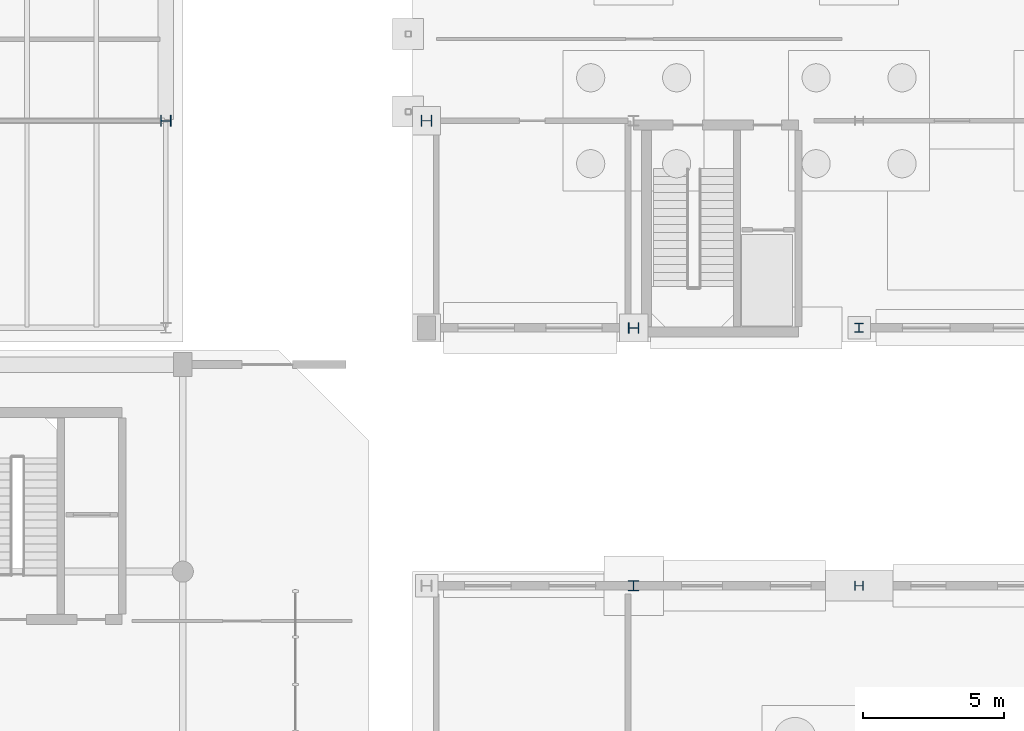
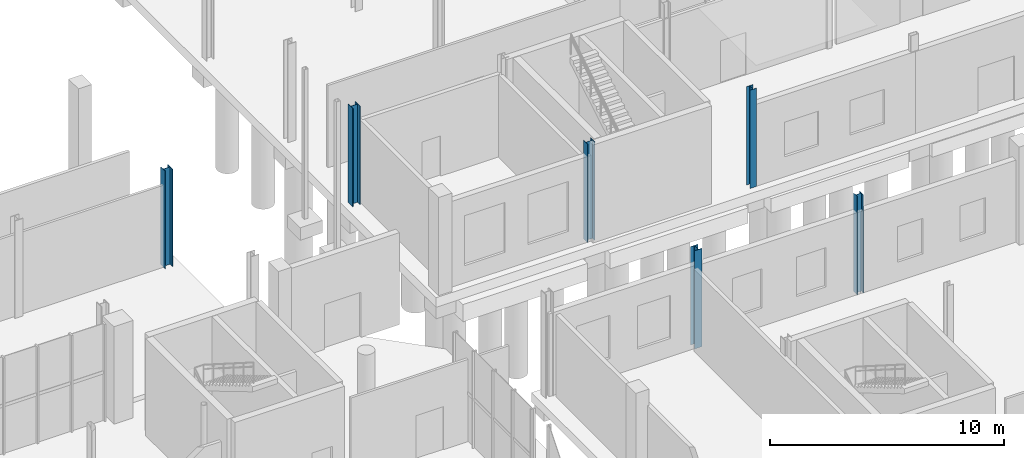
# One storey, part 24 of 87: 6 columns.
"""IFC4 building model written with IfcOpenShell, lengths in metres."""

import ifcopenshell
import ifcopenshell.guid

model = None  # the IFC model being written
_history = None  # IfcOwnerHistory: only IFC2X3 demands one
_inside = {}  # id of a spatial element -> (the spatial element, [elements in it])
_under = {}  # id of a project, library or spatial element -> (it, [spatial elements below it])
_declared = {}  # id of a project -> (the project, [libraries it declares])
_typed = {}  # id of a type object -> (the type object, [elements of that type])
_made_of = {}  # id of a material, layer set ... -> (it, [elements and type objects made of it])


def new_model(schema):
    """Start an empty IFC model of exactly this schema.

    Asked for "IFC4X3", IfcOpenShell would pick the latest addendum, in which some entities
    have other attributes; the version numbers below select the first issue.
    IFC2X3 requires an IfcOwnerHistory on every rooted entity: one is made here for all.
    """
    global model, _history
    if schema == "IFC4X3":
        model = ifcopenshell.file(schema_version=(4, 3, 0, 0))
    else:
        model = ifcopenshell.file(schema=schema)
    _inside.clear()
    _under.clear()
    _declared.clear()
    _typed.clear()
    _made_of.clear()
    _history = None
    if model.schema == "IFC2X3":
        org = make("IfcOrganization", Name="unknown")
        user = make(
            "IfcPersonAndOrganization",
            ThePerson=make("IfcPerson", FamilyName="unknown"),
            TheOrganization=org,
        )
        app = make(
            "IfcApplication",
            ApplicationDeveloper=org,
            Version="unknown",
            ApplicationFullName="unknown",
            ApplicationIdentifier="unknown",
        )
        _history = make(
            "IfcOwnerHistory",
            OwningUser=user,
            OwningApplication=app,
            ChangeAction="ADDED",
            CreationDate=0,
        )
    return model


def make(cls, **values):
    """One entity of the class cls with the attributes given. An attribute that is None is left unset."""
    return model.create_entity(
        cls, **{name: value for name, value in values.items() if value is not None}
    )


def rooted(cls, **values):
    """An entity with a GlobalId (a new one), such as an element, a storey or a relation."""
    return make(cls, GlobalId=ifcopenshell.guid.new(), OwnerHistory=_history, **values)


def si_unit(unit_type, name, prefix=None):
    """IfcSIUnit, for example si_unit("LENGTHUNIT", "METRE", prefix="MILLI")."""
    return make("IfcSIUnit", UnitType=unit_type, Prefix=prefix, Name=name)


def assignment(units):
    """IfcUnitAssignment: the units of a project."""
    return None if units is None else make("IfcUnitAssignment", Units=units)


def point(xyz):
    """IfcCartesianPoint."""
    return None if xyz is None else make("IfcCartesianPoint", Coordinates=xyz)


def direction(xyz):
    """IfcDirection."""
    return None if xyz is None else make("IfcDirection", DirectionRatios=xyz)


def frame(location, z_axis=None, x_axis=None):
    """IfcAxis2Placement3D, a coordinate frame: its origin and axes. An axis left out is left unset."""
    return make(
        "IfcAxis2Placement3D",
        Location=point(location),
        Axis=direction(z_axis),
        RefDirection=direction(x_axis),
    )


def frame_2d(location, x_axis=None):
    """IfcAxis2Placement2D, a coordinate frame in the plane: its origin and x axis."""
    return make(
        "IfcAxis2Placement2D", Location=point(location), RefDirection=direction(x_axis)
    )


def origin():
    """The frame at (0, 0, 0) with its axes left unset."""
    return frame((0.0, 0.0, 0.0))


def origin_2d():
    """The frame at (0, 0) in the plane with its x axis left unset."""
    return frame_2d((0.0, 0.0))


def place(relative_to, where):
    """IfcLocalPlacement: puts the frame where relative to a parent placement (None: the world)."""
    return make(
        "IfcLocalPlacement", PlacementRelTo=relative_to, RelativePlacement=where
    )


def context(
    kind, dimensions, precision=None, world=None, true_north=None, identifier=None
):
    """IfcGeometricRepresentationContext, for example the 3D "Model" context."""
    return make(
        "IfcGeometricRepresentationContext",
        ContextIdentifier=identifier,
        ContextType=kind,
        CoordinateSpaceDimension=dimensions,
        Precision=precision,
        WorldCoordinateSystem=world,
        TrueNorth=true_north,
    )


def subcontext(parent, identifier, kind, view, scale=None):
    """IfcGeometricRepresentationSubContext, for example "Body" below "Model"."""
    return make(
        "IfcGeometricRepresentationSubContext",
        ContextIdentifier=identifier,
        ContextType=kind,
        ParentContext=parent,
        TargetScale=scale,
        TargetView=view,
    )


def project(units=None, contexts=None):
    """IfcProject with its units and contexts."""
    return rooted(
        "IfcProject",
        Name="project",
        RepresentationContexts=contexts,
        UnitsInContext=assignment(units),
    )


def spatial(cls, under=None, at=None, **own):
    """A site, building, storey or space (cls), placed at a placement, below another one or the project."""
    s = rooted(cls, ObjectPlacement=at, **own)
    if under is not None:
        _under.setdefault(under.id(), (under, []))[1].append(s)
    return s


def profile(cls, at=None, kind="AREA", **sizes):
    """A parametric profile (cls). Its sizes go by their IFC names, for example OverallWidth=200.0."""
    return make(cls, ProfileType=kind, Position=at, **sizes)


def i_section(**sizes):
    """IfcIShapeProfileDef."""
    return profile("IfcIShapeProfileDef", **sizes)


def extrude(swept, where, along, depth):
    """IfcExtrudedAreaSolid: the profile swept, set in the frame where, extruded along a direction by depth."""
    return make(
        "IfcExtrudedAreaSolid",
        SweptArea=swept,
        Position=where,
        ExtrudedDirection=direction(along),
        Depth=depth,
    )


def shape(context_of_items, identifier, shape_type, items):
    """IfcShapeRepresentation: the items that make up one representation, for example the "Body"."""
    return make(
        "IfcShapeRepresentation",
        ContextOfItems=context_of_items,
        RepresentationIdentifier=identifier,
        RepresentationType=shape_type,
        Items=items,
    )


def material(Name=None, Category=None):
    """IfcMaterial."""
    return make("IfcMaterial", Name=Name, Category=Category)


def material_profile(
    of_material, cross_section, Name=None, Category=None, Priority=None
):
    """IfcMaterialProfile: a cross section and its material."""
    return make(
        "IfcMaterialProfile",
        Name=Name,
        Material=of_material,
        Profile=cross_section,
        Priority=Priority,
        Category=Category,
    )


def profile_set(profiles, Name=None, composite=None):
    """IfcMaterialProfileSet."""
    return make(
        "IfcMaterialProfileSet",
        Name=Name,
        MaterialProfiles=profiles,
        CompositeProfile=composite,
    )


def made_of(thing, what):
    """Note that an element or type object is made of a material, layer set ...; save() writes the relation."""
    if what is not None:
        _made_of.setdefault(what.id(), (what, []))[1].append(thing)
    return thing


def type_object(cls, material=None, **own):
    """A type object (cls), such as IfcWallType, which elements share."""
    return made_of(rooted(cls, **own), material)


def element(
    cls,
    number,
    at=None,
    inside=None,
    cuts=None,
    type_object=None,
    material=None,
    context=None,
    identifier="Body",
    shape_type=None,
    held_by="IfcProductDefinitionShape",
    body=None,
    shapes=None,
    **own,
):
    """One element of the class cls, such as IfcWall. Its Tag is "e" and its number.

    at: its placement. inside: the storey or other place that contains it. cuts: it is an
    opening in that element (IfcRelVoidsElement). A single representation is given by context,
    identifier, shape_type and body (its items); several are given by shapes. held_by: the class
    of the entity that holds the representations. save() writes the other relations.
    """
    e = rooted(cls, Tag="e%d" % number, ObjectPlacement=at, **own)
    if body is not None:
        shapes = [shape(context, identifier, shape_type, body)]
    if shapes is not None:
        e.Representation = make(held_by, Representations=shapes)
    if inside is not None:
        _inside.setdefault(inside.id(), (inside, []))[1].append(e)
    if cuts is not None:
        rooted(
            "IfcRelVoidsElement", RelatingBuildingElement=cuts, RelatedOpeningElement=e
        )
    if type_object is not None:
        _typed.setdefault(type_object.id(), (type_object, []))[1].append(e)
    return made_of(e, material)


def aggregate(whole, parts):
    """IfcRelAggregates: a whole, such as a stair, and the parts it consists of."""
    return rooted("IfcRelAggregates", RelatingObject=whole, RelatedObjects=parts)


def save(model, path):
    """Write the relations noted so far, then the file.

    IfcRelAggregates (storeys below a building ...), IfcRelContainedInSpatialStructure (elements
    in a storey), IfcRelDefinesByType, IfcRelAssociatesMaterial and IfcRelDeclares: one each for
    every whole, place, type object, material and project.
    """
    for whole, parts in _under.values():
        aggregate(whole, parts)
    for where, things in _inside.values():
        rooted(
            "IfcRelContainedInSpatialStructure",
            RelatedElements=things,
            RelatingStructure=where,
        )
    for kind, things in _typed.values():
        rooted("IfcRelDefinesByType", RelatedObjects=things, RelatingType=kind)
    for what, things in _made_of.values():
        rooted("IfcRelAssociatesMaterial", RelatedObjects=things, RelatingMaterial=what)
    for by, libraries in _declared.values():
        rooted("IfcRelDeclares", RelatingContext=by, RelatedDefinitions=libraries)
    model.write(path)


model = new_model("IFC4")

# Units and contexts
model_context = context("Model", 3, precision=1e-05, world=origin(), true_north=direction((0.0, 1.0)))
body_context = subcontext(model_context, "Body", "Model", "MODEL_VIEW")
ifc_project = project(units=[si_unit("LENGTHUNIT", "METRE"), si_unit("AREAUNIT", "SQUARE_METRE"), si_unit("VOLUMEUNIT", "CUBIC_METRE"), si_unit("PLANEANGLEUNIT", "RADIAN"), si_unit("MASSUNIT", "GRAM", prefix="KILO")], contexts=[model_context])

# Site, building, storey
site_placement = place(None, origin())
site = spatial("IfcSite", under=ifc_project, at=site_placement, CompositionType="ELEMENT")
building_placement = place(site_placement, origin())
building = spatial("IfcBuilding", under=site, at=building_placement, Name="Brisemont Oceanarium", CompositionType="ELEMENT")
storey_placement = place(building_placement, origin())
storey = spatial("IfcBuildingStorey", under=building, at=storey_placement, Name="L00", CompositionType="ELEMENT", Elevation=0.0)

# Columns
ifc_material_1 = material(Name="Structural Steel ASTM A992 Gr.50", Category="steel")
ifc_material_profile_1 = material_profile(ifc_material_1, i_section(OverallWidth=0.304931640625, OverallDepth=0.306884765625, WebThickness=0.010009765625, FlangeThickness=0.015380859375, FilletRadius=0.012939453125, at=origin_2d()), Name="W12X65")
ifc_profile_set_1 = profile_set([ifc_material_profile_1], Name="Structural Steel ASTM A992 Gr.50")
column_type_1 = type_object("IfcColumnType", Name="COL-W12X65", PredefinedType="COLUMN", material=ifc_profile_set_1)
column_1_placement = place(storey_placement, frame((128.0, 71.5, 0.0), z_axis=(0.0, 0.0, 1.0), x_axis=(0.0, 1.0, 0.0)))
element("IfcColumn", 1, at=column_1_placement, inside=storey, type_object=column_type_1, Name="V5E L00 column (2,5)", PredefinedType="COLUMN", context=body_context, shape_type="SweptSolid", body=[
    extrude(i_section(OverallWidth=0.304931640625, OverallDepth=0.306884765625, WebThickness=0.010009765625, FlangeThickness=0.015380859375, FilletRadius=0.012939453125, at=origin_2d()), origin(), (0.0, 0.0, 1.0), 5.1201171875),
])
ifc_material_2 = material(Name="Structural Steel ASTM A992 Gr.50", Category="steel")
ifc_material_profile_2 = material_profile(ifc_material_2, i_section(OverallWidth=0.306884765625, OverallDepth=0.31494140625, WebThickness=0.011962890625, FlangeThickness=0.018798828125, FilletRadius=0.012939453125, at=origin_2d()), Name="W12X79")
ifc_profile_set_2 = profile_set([ifc_material_profile_2], Name="Structural Steel ASTM A992 Gr.50")
column_type_2 = type_object("IfcColumnType", Name="COL-W12X79", PredefinedType="COLUMN", material=ifc_profile_set_2)
column_2_placement = place(storey_placement, frame((128.0, 80.64990234375, 0.0), z_axis=(0.0, 0.0, 1.0), x_axis=(1.0, 0.0, 0.0)))
element("IfcColumn", 2, at=column_2_placement, inside=storey, type_object=column_type_2, Name="V6 L00 column (2,0)", PredefinedType="COLUMN", context=body_context, shape_type="SweptSolid", body=[
    extrude(i_section(OverallWidth=0.306884765625, OverallDepth=0.31494140625, WebThickness=0.011962890625, FlangeThickness=0.018798828125, FilletRadius=0.012939453125, at=origin_2d()), origin(), (0.0, 0.0, 1.0), 5.1201171875),
])
ifc_material_3 = material(Name="Structural Steel ASTM A992 Gr.50", Category="steel")
ifc_material_profile_3 = material_profile(ifc_material_3, i_section(OverallWidth=0.37109375, OverallDepth=0.364013671875, WebThickness=0.01318359375, FlangeThickness=0.021728515625, FilletRadius=0.014892578125, at=origin_2d()), Name="W14X109")
ifc_profile_set_3 = profile_set([ifc_material_profile_3], Name="Structural Steel ASTM A992 Gr.50")
column_type_3 = type_object("IfcColumnType", Name="COL-W14X109", PredefinedType="COLUMN", material=ifc_profile_set_3)
column_3_placement = place(storey_placement, frame((120.0, 71.5, 0.0), z_axis=(0.0, 0.0, 1.0), x_axis=(1.0, 0.0, 0.0)))
element("IfcColumn", 3, at=column_3_placement, inside=storey, type_object=column_type_3, Name="V5E L00 column (1,5)", PredefinedType="COLUMN", context=body_context, shape_type="SweptSolid", body=[
    extrude(i_section(OverallWidth=0.37109375, OverallDepth=0.364013671875, WebThickness=0.01318359375, FlangeThickness=0.021728515625, FilletRadius=0.014892578125, at=origin_2d()), origin(), (0.0, 0.0, 1.0), 5.1201171875),
])
ifc_material_4 = material(Name="Structural Steel ASTM A992 Gr.50", Category="steel")
ifc_material_profile_4 = material_profile(ifc_material_4, i_section(OverallWidth=0.373046875, OverallDepth=0.367919921875, WebThickness=0.014892578125, FlangeThickness=0.02392578125, FilletRadius=0.014892578125, at=origin_2d()), Name="W14X120")
ifc_profile_set_4 = profile_set([ifc_material_profile_4], Name="Structural Steel ASTM A992 Gr.50")
column_type_4 = type_object("IfcColumnType", Name="COL-W14X120", PredefinedType="COLUMN", material=ifc_profile_set_4)
column_4_placement = place(storey_placement, frame((120.0, 80.64990234375, 0.0), z_axis=(0.0, 0.0, 1.0), x_axis=(0.0, 1.0, 0.0)))
element("IfcColumn", 4, at=column_4_placement, inside=storey, type_object=column_type_4, Name="V6 L00 column (1,0)", PredefinedType="COLUMN", context=body_context, shape_type="SweptSolid", body=[
    extrude(i_section(OverallWidth=0.373046875, OverallDepth=0.367919921875, WebThickness=0.014892578125, FlangeThickness=0.02392578125, FilletRadius=0.014892578125, at=origin_2d()), origin(), (0.0, 0.0, 1.0), 5.1201171875),
])
ifc_material_5 = material(Name="Structural Steel ASTM A992 Gr.50", Category="steel")
ifc_material_profile_5 = material_profile(ifc_material_5, i_section(OverallWidth=0.39404296875, OverallDepth=0.3759765625, WebThickness=0.017333984375, FlangeThickness=0.027587890625, FilletRadius=0.014892578125, at=origin_2d()), Name="W14X145")
ifc_profile_set_5 = profile_set([ifc_material_profile_5], Name="Structural Steel ASTM A992 Gr.50")
column_type_5 = type_object("IfcColumnType", Name="COL-W14X145", PredefinedType="COLUMN", material=ifc_profile_set_5)
column_5_placement = place(storey_placement, frame((103.39990234375, 88.0, 0.0), z_axis=(0.0, 0.0, 1.0), x_axis=(0.0, 1.0, 0.0)))
element("IfcColumn", 5, at=column_5_placement, inside=storey, type_object=column_type_5, Name="V7E L00 column (6,1)", PredefinedType="COLUMN", context=body_context, shape_type="SweptSolid", body=[
    extrude(i_section(OverallWidth=0.39404296875, OverallDepth=0.3759765625, WebThickness=0.017333984375, FlangeThickness=0.027587890625, FilletRadius=0.014892578125, at=origin_2d()), origin(), (0.0, 0.0, 1.0), 5.080078125),
])
ifc_material_6 = material(Name="Structural Steel ASTM A992 Gr.50", Category="steel")
ifc_material_profile_6 = material_profile(ifc_material_6, i_section(OverallWidth=0.39892578125, OverallDepth=0.385986328125, WebThickness=0.02099609375, FlangeThickness=0.033203125, FilletRadius=0.014892578125, at=origin_2d()), Name="W14X176")
ifc_profile_set_6 = profile_set([ifc_material_profile_6], Name="Structural Steel ASTM A992 Gr.50")
column_type_6 = type_object("IfcColumnType", Name="COL-W14X176", PredefinedType="COLUMN", material=ifc_profile_set_6)
column_6_placement = place(storey_placement, frame((112.64990234375, 88.0, 0.0), z_axis=(0.0, 0.0, 1.0), x_axis=(0.0, 1.0, 0.0)))
element("IfcColumn", 6, at=column_6_placement, inside=storey, type_object=column_type_6, Name="V6 L00 column (0,1)", PredefinedType="COLUMN", context=body_context, shape_type="SweptSolid", body=[
    extrude(i_section(OverallWidth=0.39892578125, OverallDepth=0.385986328125, WebThickness=0.02099609375, FlangeThickness=0.033203125, FilletRadius=0.014892578125, at=origin_2d()), origin(), (0.0, 0.0, 1.0), 5.1201171875),
])

save(model, "model.ifc")
